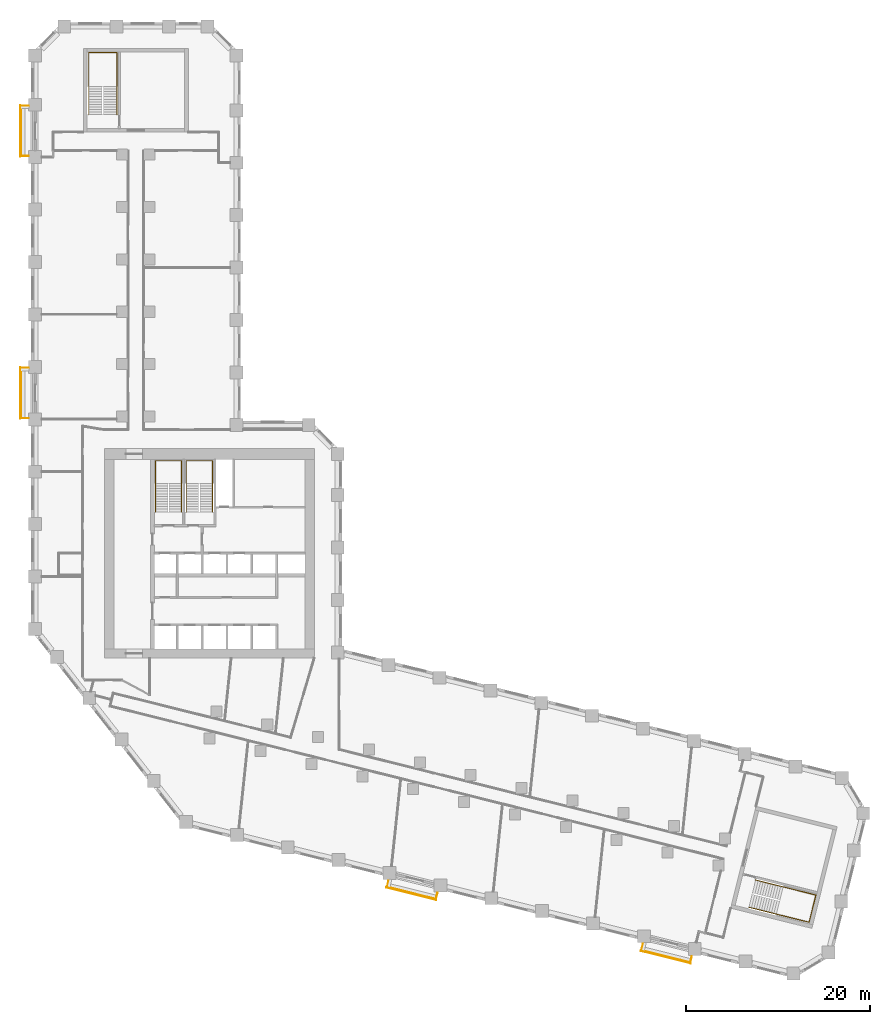
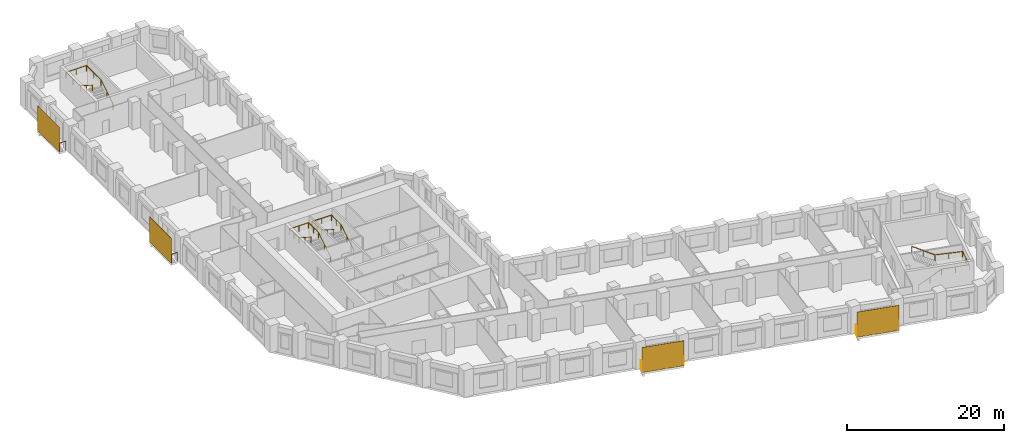
# One storey, part 11 of 11: 8 railings, 4 shading devices.
"""IFC4 building model written with IfcOpenShell, lengths in metres."""

from ifc_helpers import new_model, si_unit, direction, frame, origin, origin_2d, place, context, subcontext, project, spatial, rectangle, circle, extrude, material, layer, layer_set, type_object, element, save


model = new_model("IFC4")

# Units and contexts
model_context = context("Model", 3, precision=1e-05, world=origin(), true_north=direction((0.0, 1.0)))
body_context = subcontext(model_context, "Body", "Model", "MODEL_VIEW")
ifc_project = project(units=[si_unit("LENGTHUNIT", "METRE"), si_unit("AREAUNIT", "SQUARE_METRE"), si_unit("VOLUMEUNIT", "CUBIC_METRE"), si_unit("PLANEANGLEUNIT", "RADIAN"), si_unit("MASSUNIT", "GRAM", prefix="KILO")], contexts=[model_context])

# Site, building, storey
site_placement = place(None, origin())
site = spatial("IfcSite", under=ifc_project, at=site_placement, CompositionType="ELEMENT")
building_placement = place(site_placement, origin())
building = spatial("IfcBuilding", under=site, at=building_placement, Name="Meshkara Civic Tower", CompositionType="ELEMENT")
storey_placement = place(building_placement, frame((0.0, 0.0, 45.60009765625)))
storey = spatial("IfcBuildingStorey", under=building, at=storey_placement, Name="L09", CompositionType="ELEMENT", Elevation=45.60009765625)

# Railings
ifc_material_1 = material(Name="Steel S355", Category="steel")
railing_type_1 = type_object("IfcRailingType", Name="BALUSTRADE GUARD 1400", PredefinedType="BALUSTRADE", material=ifc_material_1)
for number, where, name in (
    (1, (-0.25, 74.135009765625, 0.0), "Balcony guard"),
    (2, (-0.25, 45.635009765625, 0.0), "Balcony guard"),
):
    element("IfcRailing", number, at=place(storey_placement, frame(where)), inside=storey, type_object=railing_type_1, Name=name, PredefinedType="BALUSTRADE", context=body_context, shape_type="SweptSolid", body=[
        extrude(circle(Radius=0.02392578125, at=origin_2d()), frame((0.0, 0.0, 1.3759765625), z_axis=(-1.0, 0.0, 0.0), x_axis=(0.0, -1.0, 0.0)), (0.0, 0.0, 1.0), 0.860107421875),
        extrude(circle(Radius=0.02392578125, at=origin_2d()), frame((-0.860107421875, 0.0, 1.3759765625), z_axis=(0.0, -1.0, 0.0), x_axis=(1.0, 0.0, 0.0)), (0.0, 0.0, 1.0), 5.4599609375),
        extrude(circle(Radius=0.02392578125, at=origin_2d()), frame((-0.860107421875, -5.4599609375, 1.3759765625), z_axis=(1.0, 0.0, 0.0), x_axis=(0.0, 1.0, 0.0)), (0.0, 0.0, 1.0), 0.860107421875),
        extrude(circle(Radius=0.02099609375, at=origin_2d()), origin(), (0.0, 0.0, 1.0), 1.351806640625),
        extrude(circle(Radius=0.02099609375, at=origin_2d()), frame((-0.860107421875, 0.0, 0.0)), (0.0, 0.0, 1.0), 1.351806640625),
        extrude(circle(Radius=0.02099609375, at=origin_2d()), frame((-0.860107421875, -1.092041015625, 0.0)), (0.0, 0.0, 1.0), 1.351806640625),
        extrude(circle(Radius=0.02099609375, at=origin_2d()), frame((-0.860107421875, -2.18408203125, 0.0)), (0.0, 0.0, 1.0), 1.351806640625),
        extrude(circle(Radius=0.02099609375, at=origin_2d()), frame((-0.860107421875, -3.27587890625, 0.0)), (0.0, 0.0, 1.0), 1.351806640625),
        extrude(circle(Radius=0.02099609375, at=origin_2d()), frame((-0.860107421875, -4.367919921875, 0.0)), (0.0, 0.0, 1.0), 1.351806640625),
        extrude(circle(Radius=0.02099609375, at=origin_2d()), frame((-0.860107421875, -5.4599609375, 0.0)), (0.0, 0.0, 1.0), 1.351806640625),
        extrude(circle(Radius=0.02099609375, at=origin_2d()), frame((0.0, -5.4599609375, 0.0)), (0.0, 0.0, 1.0), 1.351806640625),
    ])
railing_1_placement = place(storey_placement, frame((38.885009765625, -10.10595703125, 0.0)))
element("IfcRailing", 3, at=railing_1_placement, inside=storey, type_object=railing_type_1, Name="Balcony guard", PredefinedType="BALUSTRADE", context=body_context, shape_type="SweptSolid", body=[
    extrude(circle(Radius=0.02392578125, at=origin_2d()), frame((0.0, 0.0, 1.3759765625), z_axis=(-0.242050887106, -0.970263555974, 0.0), x_axis=(0.970263555974, -0.242050887106, 0.0)), (0.0, 0.0, 1.0), 0.711181640625),
    extrude(circle(Radius=0.02392578125, at=origin_2d()), frame((-0.172119140625, -0.68994140625, 1.3759765625), z_axis=(0.970292231073, -0.24193591366, 0.0), x_axis=(0.24193591366, 0.970292231073, 0.0)), (0.0, 0.0, 1.0), 5.460205078125),
    extrude(circle(Radius=0.02392578125, at=origin_2d()), frame((5.1259765625, -2.010986328125, 1.3759765625), z_axis=(0.242050887106, 0.970263555974, 0.0), x_axis=(-0.970263555974, 0.242050887106, 0.0)), (0.0, 0.0, 1.0), 0.711181640625),
    extrude(circle(Radius=0.02099609375, at=origin_2d()), origin(), (0.0, 0.0, 1.0), 1.351806640625),
    extrude(circle(Radius=0.02099609375, at=origin_2d()), frame((-0.172119140625, -0.68994140625, 0.0)), (0.0, 0.0, 1.0), 1.351806640625),
    extrude(circle(Radius=0.02099609375, at=origin_2d()), frame((0.887451171875, -0.9541015625, 0.0)), (0.0, 0.0, 1.0), 1.351806640625),
    extrude(circle(Radius=0.02099609375, at=origin_2d()), frame((1.947021484375, -1.21826171875, 0.0)), (0.0, 0.0, 1.0), 1.351806640625),
    extrude(circle(Radius=0.02099609375, at=origin_2d()), frame((3.0068359375, -1.482666015625, 0.0)), (0.0, 0.0, 1.0), 1.351806640625),
    extrude(circle(Radius=0.02099609375, at=origin_2d()), frame((4.06640625, -1.746826171875, 0.0)), (0.0, 0.0, 1.0), 1.351806640625),
    extrude(circle(Radius=0.02099609375, at=origin_2d()), frame((5.1259765625, -2.010986328125, 0.0)), (0.0, 0.0, 1.0), 1.351806640625),
    extrude(circle(Radius=0.02099609375, at=origin_2d()), frame((5.298095703125, -1.321044921875, 0.0)), (0.0, 0.0, 1.0), 1.351806640625),
])
railing_2_placement = place(storey_placement, frame((66.5380859375, -17.0, 0.0)))
element("IfcRailing", 4, at=railing_2_placement, inside=storey, type_object=railing_type_1, Name="Balcony guard", PredefinedType="BALUSTRADE", context=body_context, shape_type="SweptSolid", body=[
    extrude(circle(Radius=0.02392578125, at=origin_2d()), frame((0.0, 0.0, 1.3759765625), z_axis=(-0.241728770141, -0.970343857447, 0.0), x_axis=(0.970343857447, -0.241728770141, 0.0)), (0.0, 0.0, 1.0), 0.7119140625),
    extrude(circle(Radius=0.02392578125, at=origin_2d()), frame((-0.172119140625, -0.69091796875, 1.3759765625), z_axis=(0.970292231073, -0.24193591366, 0.0), x_axis=(0.24193591366, 0.970292231073, 0.0)), (0.0, 0.0, 1.0), 5.460205078125),
    extrude(circle(Radius=0.02392578125, at=origin_2d()), frame((5.1259765625, -2.011962890625, 1.3759765625), z_axis=(0.241405887632, 0.970424235794, 0.0), x_axis=(-0.970424235794, 0.241405887632, 0.0)), (0.0, 0.0, 1.0), 0.7119140625),
    extrude(circle(Radius=0.02099609375, at=origin_2d()), origin(), (0.0, 0.0, 1.0), 1.351806640625),
    extrude(circle(Radius=0.02099609375, at=origin_2d()), frame((-0.172119140625, -0.69091796875, 0.0)), (0.0, 0.0, 1.0), 1.351806640625),
    extrude(circle(Radius=0.02099609375, at=origin_2d()), frame((0.887451171875, -0.955078125, 0.0)), (0.0, 0.0, 1.0), 1.351806640625),
    extrude(circle(Radius=0.02099609375, at=origin_2d()), frame((1.947021484375, -1.21923828125, 0.0)), (0.0, 0.0, 1.0), 1.351806640625),
    extrude(circle(Radius=0.02099609375, at=origin_2d()), frame((3.0068359375, -1.483642578125, 0.0)), (0.0, 0.0, 1.0), 1.351806640625),
    extrude(circle(Radius=0.02099609375, at=origin_2d()), frame((4.06640625, -1.747802734375, 0.0)), (0.0, 0.0, 1.0), 1.351806640625),
    extrude(circle(Radius=0.02099609375, at=origin_2d()), frame((5.1259765625, -2.011962890625, 0.0)), (0.0, 0.0, 1.0), 1.351806640625),
    extrude(circle(Radius=0.02099609375, at=origin_2d()), frame((5.2978515625, -1.321044921875, 0.0)), (0.0, 0.0, 1.0), 1.351806640625),
])

# Shading devices
ifc_material_2 = material(Name="Perforated bronze anodised aluminium sheet", Category="aluminium")
ifc_layer = layer(ifc_material_2, 0.0400390625)
ifc_layer_set = layer_set([ifc_layer], Name="PERFORATED BRONZE SCREEN")
shading_device_type = type_object("IfcShadingDeviceType", Name="PERFORATED BRONZE SCREEN", PredefinedType="USERDEFINED", material=ifc_layer_set)
for number, where, z_axis, x_axis, name in (
    (5, (-1.179931640625, 71.405029296875, 0.0), (0.0, 0.0, 1.0), (0.0, -1.0, 0.0), "Balcony screen"),
    (6, (-1.179931640625, 42.905029296875, 0.0), (0.0, 0.0, 1.0), (0.0, -1.0, 0.0), "Balcony screen"),
    (7, (41.344970703125, -11.52490234375, 0.0), (0.0, 0.0, 1.0), (0.970295726276, -0.2419218956, 0.0), "Balcony screen"),
    (8, (68.998046875, -18.4189453125, 0.0), (0.0, 0.0, 1.0), (0.970295726276, -0.2419218956, 0.0), "Balcony screen"),
):
    element("IfcShadingDevice", number, at=place(storey_placement, frame(where, z_axis=z_axis, x_axis=x_axis)), inside=storey, type_object=shading_device_type, Name=name, ObjectType="SCREEN", PredefinedType="USERDEFINED", context=body_context, shape_type="SweptSolid", body=[
        extrude(rectangle(XDim=5.580078125, YDim=0.0400390625, at=origin_2d()), origin(), (0.0, 0.0, 1.0), 3.89990234375),
    ])

# Railings
ifc_material_3 = material(Name="Steel handrail", Category="steel")
railing_type_2 = type_object("IfcRailingType", Name="Stair handrail 900", PredefinedType="HANDRAIL", material=ifc_material_3)
railing_3_placement = place(storey_placement, frame((16.375, 30.0, 0.1748046875)))
element("IfcRailing", 9, at=railing_3_placement, inside=storey, type_object=railing_type_2, Name="L09 ST1 stair handrail 1", PredefinedType="HANDRAIL", context=body_context, shape_type="SweptSolid", body=[
    extrude(circle(Radius=0.02392578125, at=origin_2d()), frame((0.0, 0.0, 0.8759765625), z_axis=(0.0, 0.847998304005, 0.529998940003), x_axis=(-1.0, 0.0, 0.0)), (0.0, 0.0, 1.0), 3.632080078125),
    extrude(circle(Radius=0.02392578125, at=origin_2d()), frame((0.0, 3.080078125, 2.80078125), z_axis=(0.0, 1.0, 0.0), x_axis=(-1.0, 0.0, 0.0)), (0.0, 0.0, 1.0), 2.469970703125),
    extrude(circle(Radius=0.02392578125, at=origin_2d()), frame((0.0, 5.550048828125, 2.80078125), z_axis=(-1.0, 0.0, 0.0), x_axis=(0.0, -1.0, 0.0)), (0.0, 0.0, 1.0), 2.85009765625),
    extrude(circle(Radius=0.02392578125, at=origin_2d()), frame((-2.85009765625, 5.550048828125, 2.80078125), z_axis=(0.0, -0.997498084828, 0.070693498747), x_axis=(1.0, 0.0, 0.0)), (0.0, 0.0, 1.0), 2.47607421875),
    extrude(circle(Radius=0.02392578125, at=origin_2d()), frame((-2.85009765625, 3.080078125, 2.97607421875), z_axis=(0.0, -0.847998304005, 0.529998940003), x_axis=(1.0, 0.0, 0.0)), (0.0, 0.0, 1.0), 3.632080078125),
    extrude(circle(Radius=0.02099609375, at=origin_2d()), origin(), (0.0, 0.0, 1.0), 0.851806640625),
    extrude(circle(Radius=0.02099609375, at=origin_2d()), frame((0.0, 1.5400390625, 0.96240234375)), (0.0, 0.0, 1.0), 0.851806640625),
    extrude(circle(Radius=0.02099609375, at=origin_2d()), frame((0.0, 3.080078125, 1.925048828125)), (0.0, 0.0, 1.0), 0.851806640625),
    extrude(circle(Radius=0.02099609375, at=origin_2d()), frame((0.0, 4.31494140625, 1.925048828125)), (0.0, 0.0, 1.0), 0.851806640625),
    extrude(circle(Radius=0.02099609375, at=origin_2d()), frame((0.0, 5.550048828125, 1.925048828125)), (0.0, 0.0, 1.0), 0.851806640625),
    extrude(circle(Radius=0.02099609375, at=origin_2d()), frame((-1.425048828125, 5.550048828125, 1.925048828125)), (0.0, 0.0, 1.0), 0.851806640625),
    extrude(circle(Radius=0.02099609375, at=origin_2d()), frame((-2.85009765625, 5.550048828125, 1.925048828125)), (0.0, 0.0, 1.0), 0.851806640625),
    extrude(circle(Radius=0.02099609375, at=origin_2d()), frame((-2.85009765625, 4.31494140625, 2.0126953125)), (0.0, 0.0, 1.0), 0.851806640625),
    extrude(circle(Radius=0.02099609375, at=origin_2d()), frame((-2.85009765625, 3.080078125, 2.10009765625)), (0.0, 0.0, 1.0), 0.851806640625),
    extrude(circle(Radius=0.02099609375, at=origin_2d()), frame((-2.85009765625, 1.5400390625, 3.0625)), (0.0, 0.0, 1.0), 0.851806640625),
    extrude(circle(Radius=0.02099609375, at=origin_2d()), frame((-2.85009765625, 0.0, 4.025146484375)), (0.0, 0.0, 1.0), 0.851806640625),
])
railing_4_placement = place(storey_placement, frame((19.72509765625, 30.0, 0.1748046875)))
element("IfcRailing", 10, at=railing_4_placement, inside=storey, type_object=railing_type_2, Name="L09 ST2 stair handrail 1", PredefinedType="HANDRAIL", context=body_context, shape_type="SweptSolid", body=[
    extrude(circle(Radius=0.02392578125, at=origin_2d()), frame((0.0, 0.0, 0.8759765625), z_axis=(0.0, 0.847998304005, 0.529998940003), x_axis=(-1.0, 0.0, 0.0)), (0.0, 0.0, 1.0), 3.632080078125),
    extrude(circle(Radius=0.02392578125, at=origin_2d()), frame((0.0, 3.080078125, 2.80078125), z_axis=(0.0, 1.0, 0.0), x_axis=(-1.0, 0.0, 0.0)), (0.0, 0.0, 1.0), 2.469970703125),
    extrude(circle(Radius=0.02392578125, at=origin_2d()), frame((0.0, 5.550048828125, 2.80078125), z_axis=(-1.0, 0.0, 0.0), x_axis=(0.0, -1.0, 0.0)), (0.0, 0.0, 1.0), 2.85009765625),
    extrude(circle(Radius=0.02392578125, at=origin_2d()), frame((-2.85009765625, 5.550048828125, 2.80078125), z_axis=(0.0, -0.997498084828, 0.070693498747), x_axis=(1.0, 0.0, 0.0)), (0.0, 0.0, 1.0), 2.47607421875),
    extrude(circle(Radius=0.02392578125, at=origin_2d()), frame((-2.85009765625, 3.080078125, 2.97607421875), z_axis=(0.0, -0.847998304005, 0.529998940003), x_axis=(1.0, 0.0, 0.0)), (0.0, 0.0, 1.0), 3.632080078125),
    extrude(circle(Radius=0.02099609375, at=origin_2d()), origin(), (0.0, 0.0, 1.0), 0.851806640625),
    extrude(circle(Radius=0.02099609375, at=origin_2d()), frame((0.0, 1.5400390625, 0.96240234375)), (0.0, 0.0, 1.0), 0.851806640625),
    extrude(circle(Radius=0.02099609375, at=origin_2d()), frame((0.0, 3.080078125, 1.925048828125)), (0.0, 0.0, 1.0), 0.851806640625),
    extrude(circle(Radius=0.02099609375, at=origin_2d()), frame((0.0, 4.31494140625, 1.925048828125)), (0.0, 0.0, 1.0), 0.851806640625),
    extrude(circle(Radius=0.02099609375, at=origin_2d()), frame((0.0, 5.550048828125, 1.925048828125)), (0.0, 0.0, 1.0), 0.851806640625),
    extrude(circle(Radius=0.02099609375, at=origin_2d()), frame((-1.425048828125, 5.550048828125, 1.925048828125)), (0.0, 0.0, 1.0), 0.851806640625),
    extrude(circle(Radius=0.02099609375, at=origin_2d()), frame((-2.85009765625, 5.550048828125, 1.925048828125)), (0.0, 0.0, 1.0), 0.851806640625),
    extrude(circle(Radius=0.02099609375, at=origin_2d()), frame((-2.85009765625, 4.31494140625, 2.0126953125)), (0.0, 0.0, 1.0), 0.851806640625),
    extrude(circle(Radius=0.02099609375, at=origin_2d()), frame((-2.85009765625, 3.080078125, 2.10009765625)), (0.0, 0.0, 1.0), 0.851806640625),
    extrude(circle(Radius=0.02099609375, at=origin_2d()), frame((-2.85009765625, 1.5400390625, 3.0625)), (0.0, 0.0, 1.0), 0.851806640625),
    extrude(circle(Radius=0.02099609375, at=origin_2d()), frame((-2.85009765625, 0.0, 4.025146484375)), (0.0, 0.0, 1.0), 0.851806640625),
])
railing_5_placement = place(storey_placement, frame((9.324951171875, 73.169921875, 0.1748046875)))
element("IfcRailing", 11, at=railing_5_placement, inside=storey, type_object=railing_type_2, Name="L09 ESA1 stair handrail 1", PredefinedType="HANDRAIL", context=body_context, shape_type="SweptSolid", body=[
    extrude(circle(Radius=0.02392578125, at=origin_2d()), frame((0.0, 0.0, 0.8759765625), z_axis=(0.0, 0.847998304005, 0.529998940003), x_axis=(-1.0, 0.0, 0.0)), (0.0, 0.0, 1.0), 3.632080078125),
    extrude(circle(Radius=0.02392578125, at=origin_2d()), frame((0.0, 3.080078125, 2.80078125), z_axis=(0.0, 1.0, 0.0), x_axis=(-1.0, 0.0, 0.0)), (0.0, 0.0, 1.0), 3.669921875),
    extrude(circle(Radius=0.02392578125, at=origin_2d()), frame((0.0, 6.75, 2.80078125), z_axis=(-1.0, 0.0, 0.0), x_axis=(0.0, -1.0, 0.0)), (0.0, 0.0, 1.0), 3.050048828125),
    extrude(circle(Radius=0.02392578125, at=origin_2d()), frame((-3.050048828125, 6.75, 2.80078125), z_axis=(0.0, -0.998864376167, 0.047644076484), x_axis=(1.0, 0.0, 0.0)), (0.0, 0.0, 1.0), 3.674072265625),
    extrude(circle(Radius=0.02392578125, at=origin_2d()), frame((-3.050048828125, 3.080078125, 2.97607421875), z_axis=(0.0, -0.847998304005, 0.529998940003), x_axis=(1.0, 0.0, 0.0)), (0.0, 0.0, 1.0), 3.632080078125),
    extrude(circle(Radius=0.02099609375, at=origin_2d()), origin(), (0.0, 0.0, 1.0), 0.851806640625),
    extrude(circle(Radius=0.02099609375, at=origin_2d()), frame((0.0, 1.5400390625, 0.96240234375)), (0.0, 0.0, 1.0), 0.851806640625),
    extrude(circle(Radius=0.02099609375, at=origin_2d()), frame((0.0, 3.080078125, 1.925048828125)), (0.0, 0.0, 1.0), 0.851806640625),
    extrude(circle(Radius=0.02099609375, at=origin_2d()), frame((0.0, 4.9150390625, 1.925048828125)), (0.0, 0.0, 1.0), 0.851806640625),
    extrude(circle(Radius=0.02099609375, at=origin_2d()), frame((0.0, 6.75, 1.925048828125)), (0.0, 0.0, 1.0), 0.851806640625),
    extrude(circle(Radius=0.02099609375, at=origin_2d()), frame((-1.52490234375, 6.75, 1.925048828125)), (0.0, 0.0, 1.0), 0.851806640625),
    extrude(circle(Radius=0.02099609375, at=origin_2d()), frame((-3.050048828125, 6.75, 1.925048828125)), (0.0, 0.0, 1.0), 0.851806640625),
    extrude(circle(Radius=0.02099609375, at=origin_2d()), frame((-3.050048828125, 4.9150390625, 2.0126953125)), (0.0, 0.0, 1.0), 0.851806640625),
    extrude(circle(Radius=0.02099609375, at=origin_2d()), frame((-3.050048828125, 3.080078125, 2.10009765625)), (0.0, 0.0, 1.0), 0.851806640625),
    extrude(circle(Radius=0.02099609375, at=origin_2d()), frame((-3.050048828125, 1.5400390625, 3.0625)), (0.0, 0.0, 1.0), 0.851806640625),
    extrude(circle(Radius=0.02099609375, at=origin_2d()), frame((-3.050048828125, 0.0, 4.025146484375)), (0.0, 0.0, 1.0), 0.851806640625),
])
railing_6_placement = place(storey_placement, frame((78.045166015625, -12.99169921875, 0.1748046875)))
element("IfcRailing", 12, at=railing_6_placement, inside=storey, type_object=railing_type_2, Name="L09 ESB1 stair handrail 1", PredefinedType="HANDRAIL", context=body_context, shape_type="SweptSolid", body=[
    extrude(circle(Radius=0.02392578125, at=origin_2d()), frame((0.0, 0.0, 0.8759765625), z_axis=(0.822781968105, -0.205275396666, 0.529992306062), x_axis=(0.242069343812, 0.970258951408, 0.0)), (0.0, 0.0, 1.0), 3.63232421875),
    extrude(circle(Radius=0.02392578125, at=origin_2d()), frame((2.988525390625, -0.74560546875, 2.80078125), z_axis=(0.970255876456, -0.242081668456, 0.0), x_axis=(0.242081668456, 0.970255876456, 0.0)), (0.0, 0.0, 1.0), 3.669921875),
    extrude(circle(Radius=0.02392578125, at=origin_2d()), frame((6.54931640625, -1.634033203125, 2.80078125), z_axis=(0.242064726708, 0.970260103315, 0.0), x_axis=(-0.970260103315, 0.242064726708, 0.0)), (0.0, 0.0, 1.0), 3.050048828125),
    extrude(circle(Radius=0.02392578125, at=origin_2d()), frame((7.28759765625, 1.3251953125, 2.80078125), z_axis=(-0.969154047904, 0.241806759021, 0.047643706023), x_axis=(-0.242081668456, -0.970255876456, 0.0)), (0.0, 0.0, 1.0), 3.674072265625),
    extrude(circle(Radius=0.02392578125, at=origin_2d()), frame((3.726806640625, 2.213623046875, 2.97607421875), z_axis=(-0.822781968105, 0.205275396666, 0.529992306062), x_axis=(-0.242069343812, -0.970258951408, 0.0)), (0.0, 0.0, 1.0), 3.63232421875),
    extrude(circle(Radius=0.02099609375, at=origin_2d()), origin(), (0.0, 0.0, 1.0), 0.851806640625),
    extrude(circle(Radius=0.02099609375, at=origin_2d()), frame((1.494140625, -0.372802734375, 0.96240234375)), (0.0, 0.0, 1.0), 0.851806640625),
    extrude(circle(Radius=0.02099609375, at=origin_2d()), frame((2.988525390625, -0.74560546875, 1.925048828125)), (0.0, 0.0, 1.0), 0.851806640625),
    extrude(circle(Radius=0.02099609375, at=origin_2d()), frame((4.76904296875, -1.18994140625, 1.925048828125)), (0.0, 0.0, 1.0), 0.851806640625),
    extrude(circle(Radius=0.02099609375, at=origin_2d()), frame((6.54931640625, -1.634033203125, 1.925048828125)), (0.0, 0.0, 1.0), 0.851806640625),
    extrude(circle(Radius=0.02099609375, at=origin_2d()), frame((6.91845703125, -0.154296875, 1.925048828125)), (0.0, 0.0, 1.0), 0.851806640625),
    extrude(circle(Radius=0.02099609375, at=origin_2d()), frame((7.28759765625, 1.3251953125, 1.925048828125)), (0.0, 0.0, 1.0), 0.851806640625),
    extrude(circle(Radius=0.02099609375, at=origin_2d()), frame((5.50732421875, 1.76953125, 2.0126953125)), (0.0, 0.0, 1.0), 0.851806640625),
    extrude(circle(Radius=0.02099609375, at=origin_2d()), frame((3.726806640625, 2.213623046875, 2.10009765625)), (0.0, 0.0, 1.0), 0.851806640625),
    extrude(circle(Radius=0.02099609375, at=origin_2d()), frame((2.232421875, 2.58642578125, 3.0625)), (0.0, 0.0, 1.0), 0.851806640625),
    extrude(circle(Radius=0.02099609375, at=origin_2d()), frame((0.73828125, 2.959228515625, 4.025146484375)), (0.0, 0.0, 1.0), 0.851806640625),
])

save(model, "model.ifc")
